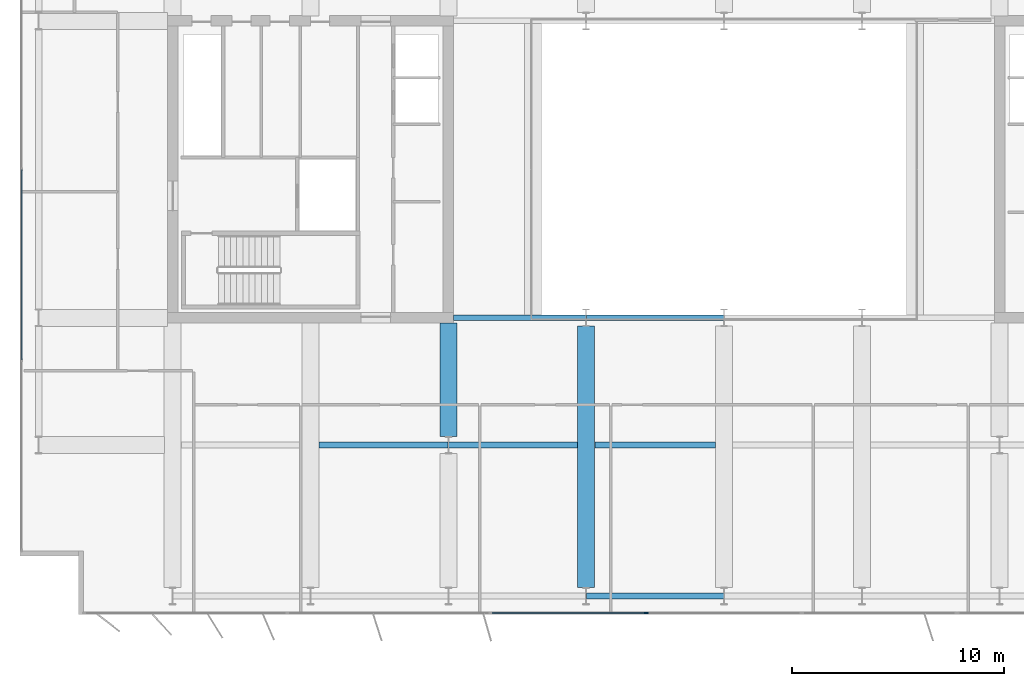
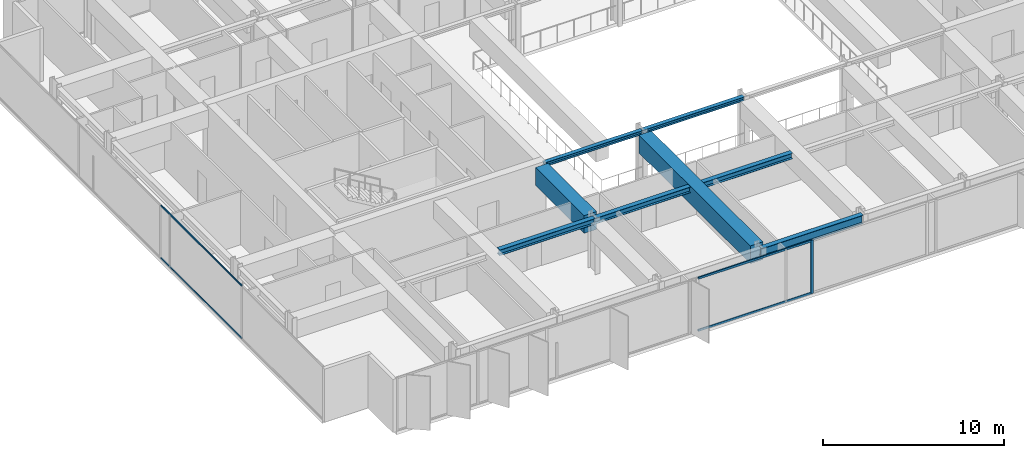
# One storey, part 4 of 24: 8 beams, 5 members, 2 elements without a shape of their own.
"""IFC4 building model written with IfcOpenShell, lengths in metres."""

from ifc_helpers import new_model, si_unit, direction, frame, origin, origin_2d, place, context, subcontext, project, spatial, rectangle, i_section, extrude, material, layer, layer_set, material_profile, profile_set, type_object, element, aggregate, save


model = new_model("IFC4")

# Units and contexts
model_context = context("Model", 3, precision=1e-05, world=origin(), true_north=direction((0.0, 1.0)))
body_context = subcontext(model_context, "Body", "Model", "MODEL_VIEW")
ifc_project = project(units=[si_unit("LENGTHUNIT", "METRE"), si_unit("AREAUNIT", "SQUARE_METRE"), si_unit("VOLUMEUNIT", "CUBIC_METRE"), si_unit("PLANEANGLEUNIT", "RADIAN"), si_unit("MASSUNIT", "GRAM", prefix="KILO")], contexts=[model_context])

# Site, building, storey
site_placement = place(None, origin())
site = spatial("IfcSite", under=ifc_project, at=site_placement, CompositionType="ELEMENT")
building_placement = place(site_placement, origin())
building = spatial("IfcBuilding", under=site, at=building_placement, Name="Putna Gate Headquarters", CompositionType="ELEMENT")
storey_placement = place(building_placement, frame((0.0, 0.0, 251.800048828125)))
storey = spatial("IfcBuildingStorey", under=building, at=storey_placement, Name="L63", CompositionType="ELEMENT", Elevation=251.800048828125)

# Beams
ifc_material_1 = material(Name="Steel S355J2", Category="steel")
ifc_material_profile_1 = material_profile(ifc_material_1, i_section(OverallWidth=0.260009765625, OverallDepth=0.260009765625, WebThickness=0.010009765625, FlangeThickness=0.017578125, at=origin_2d()), Name="Steel S355J2")
ifc_profile_set_1 = profile_set([ifc_material_profile_1], Name="Steel S355J2")
beam_type_1 = type_object("IfcBeamType", Name="BM-ATRIUM-HEB260", PredefinedType="BEAM", material=ifc_profile_set_1)
beam_1_placement = place(storey_placement, frame((26.235107421875, 19.0, 3.4580078125), z_axis=(1.0, 0.0, 0.0), x_axis=(0.0, 1.0, 0.0)))
element("IfcBeam", 1, at=beam_1_placement, inside=storey, type_object=beam_type_1, Name="L63 Atrium Edge Beam AS1", PredefinedType="BEAM", context=body_context, shape_type="SweptSolid", body=[
    extrude(i_section(OverallWidth=0.260009765625, OverallDepth=0.260009765625, WebThickness=0.010009765625, FlangeThickness=0.017578125, at=origin_2d()), origin(), (0.0, 0.0, 1.0), 6.2587890625),
])
beam_2_placement = place(storey_placement, frame((32.506103515625, 19.0, 3.4580078125), z_axis=(1.0, 0.0, 0.0), x_axis=(0.0, 1.0, 0.0)))
element("IfcBeam", 2, at=beam_2_placement, inside=storey, type_object=beam_type_1, Name="L63 Atrium Edge Beam AS2", PredefinedType="BEAM", context=body_context, shape_type="SweptSolid", body=[
    extrude(i_section(OverallWidth=0.260009765625, OverallDepth=0.260009765625, WebThickness=0.010009765625, FlangeThickness=0.017578125, at=origin_2d()), origin(), (0.0, 0.0, 1.0), 6.48779296875),
])
ifc_material_profile_2 = material_profile(ifc_material_1, i_section(OverallWidth=0.300048828125, OverallDepth=0.389892578125, WebThickness=0.010986328125, FlangeThickness=0.01904296875, at=origin_2d()), Name="Steel S355J2")
ifc_profile_set_2 = profile_set([ifc_material_profile_2], Name="Steel S355J2")
beam_type_2 = type_object("IfcBeamType", Name="BM-SEC-Z5-HEA400", PredefinedType="BEAM", material=ifc_profile_set_2)
for number, where, z_axis, x_axis, name in (
    (3, (19.904052734375, 13.0, 3.39306640625), (1.0, 0.0, 0.0), (0.0, 1.0, 0.0), "L63 South Secondary Beam 2"),
    (4, (26.006103515625, 13.0, 3.39306640625), (1.0, 0.0, 0.0), (0.0, 1.0, 0.0), "L63 South Secondary Beam 3"),
):
    element("IfcBeam", number, at=place(storey_placement, frame(where, z_axis=z_axis, x_axis=x_axis)), inside=storey, type_object=beam_type_2, Name=name, PredefinedType="BEAM", context=body_context, shape_type="SweptSolid", body=[
        extrude(i_section(OverallWidth=0.300048828125, OverallDepth=0.389892578125, WebThickness=0.010986328125, FlangeThickness=0.01904296875, at=origin_2d()), origin(), (0.0, 0.0, 1.0), 6.08984375),
    ])
beam_3_placement = place(storey_placement, frame((32.904052734375, 13.0, 3.39306640625), z_axis=(1.0, 0.0, 0.0), x_axis=(0.0, 1.0, 0.0)))
element("IfcBeam", 5, at=beam_3_placement, inside=storey, type_object=beam_type_2, Name="L63 South Secondary Beam 4", PredefinedType="BEAM", context=body_context, shape_type="SweptSolid", body=[
    extrude(i_section(OverallWidth=0.300048828125, OverallDepth=0.389892578125, WebThickness=0.010986328125, FlangeThickness=0.01904296875, at=origin_2d()), origin(), (0.0, 0.0, 1.0), 5.69189453125),
])
ifc_material_profile_3 = material_profile(ifc_material_1, i_section(OverallWidth=0.300048828125, OverallDepth=0.590087890625, WebThickness=0.012939453125, FlangeThickness=0.02490234375, at=origin_2d()), Name="Steel S355J2")
ifc_profile_set_3 = profile_set([ifc_material_profile_3], Name="Steel S355J2")
beam_type_3 = type_object("IfcBeamType", Name="BM-SPAN-Z4-HEA600", PredefinedType="SPANDREL", material=ifc_profile_set_3)
beam_4_placement = place(storey_placement, frame((32.506103515625, 5.8798828125, 3.29296875), z_axis=(1.0, 0.0, 0.0), x_axis=(0.0, 1.0, 0.0)))
element("IfcBeam", 6, at=beam_4_placement, inside=storey, type_object=beam_type_3, Name="L63 S Perimeter Spandrel 4", PredefinedType="SPANDREL", context=body_context, shape_type="SweptSolid", body=[
    extrude(i_section(OverallWidth=0.300048828125, OverallDepth=0.590087890625, WebThickness=0.012939453125, FlangeThickness=0.02490234375, at=origin_2d()), origin(), (0.0, 0.0, 1.0), 6.48779296875),
])
ifc_material_2 = material(Name="Concrete C50/60", Category="concrete")
ifc_material_profile_4 = material_profile(ifc_material_2, rectangle(XDim=0.800048828125, YDim=1.199951171875, at=origin_2d()), Name="Concrete C50/60")
ifc_profile_set_4 = profile_set([ifc_material_profile_4], Name="Concrete C50/60")
beam_type_4 = type_object("IfcBeamType", Name="BM-TG-RC1200", PredefinedType="USERDEFINED", material=ifc_profile_set_4)
beam_5_placement = place(storey_placement, frame((26.0, 13.39501953125, 2.988037109375), z_axis=(0.0, 1.0, 0.0), x_axis=(-1.0, 0.0, 0.0)))
element("IfcBeam", 7, at=beam_5_placement, inside=storey, type_object=beam_type_4, Name="L63 South Primary Girder X26-2", ObjectType="GIRDER", PredefinedType="USERDEFINED", context=body_context, shape_type="SweptSolid", body=[
    extrude(rectangle(XDim=0.800048828125, YDim=1.199951171875, at=origin_2d()), origin(), (0.0, 0.0, 1.0), 5.369873046875),
])
beam_6_placement = place(storey_placement, frame((32.5, 6.27490234375, 2.988037109375), z_axis=(0.0, 1.0, 0.0), x_axis=(-1.0, 0.0, 0.0)))
element("IfcBeam", 8, at=beam_6_placement, inside=storey, type_object=beam_type_4, Name="L63 South Primary Girder X32", ObjectType="GIRDER", PredefinedType="USERDEFINED", context=body_context, shape_type="SweptSolid", body=[
    extrude(rectangle(XDim=0.800048828125, YDim=1.199951171875, at=origin_2d()), origin(), (0.0, 0.0, 1.0), 12.330078125),
])

# Curtain wall, member
ifc_material_3 = material(Name="Anodised bronze aluminium curtain wall", Category="aluminium")
ifc_layer_1 = layer(ifc_material_3, 0.179931640625)
ifc_layer_set_1 = layer_set([ifc_layer_1], Name="Anodised bronze aluminium curtain wall")
curtain_wall_type_1 = type_object("IfcCurtainWallType", Name="CW-SYS-ATR", PredefinedType="USERDEFINED", material=ifc_layer_set_1)
curtain_wall_1_placement = place(storey_placement, origin())
curtain_wall_1 = element("IfcCurtainWall", 9, at=curtain_wall_1_placement, inside=storey, type_object=curtain_wall_type_1, Name="L63 South Atrium Clear Glazing", ObjectType="ATRIUM GLAZING", PredefinedType="USERDEFINED")
ifc_material_4 = material(Name="Anodised bronze aluminium EN AW-6060", Category="aluminium")
ifc_material_profile_5 = material_profile(ifc_material_4, rectangle(XDim=0.070068359375, YDim=0.179931640625, at=origin_2d()), Name="Anodised bronze aluminium EN AW-6060")
ifc_profile_set_5 = profile_set([ifc_material_profile_5], Name="Anodised bronze aluminium EN AW-6060")
member_type_1 = type_object("IfcMemberType", Name="MULL-CWM-AT", PredefinedType="MULLION", material=ifc_profile_set_5)
member_1_placement = place(storey_placement, frame((35.333251953125, 5.080078125, 0.0), z_axis=(0.0, 0.0, 1.0), x_axis=(0.0, 1.0, 0.0)))
member_1 = element("IfcMember", 10, at=member_1_placement, type_object=member_type_1, Name="CWS-AT mullion 2", PredefinedType="MULLION", context=body_context, shape_type="SweptSolid", body=[
    extrude(rectangle(XDim=0.070068359375, YDim=0.179931640625, at=origin_2d()), origin(), (0.0, 0.0, 1.0), 3.587890625),
])

# Curtain wall, members
ifc_layer_2 = layer(ifc_material_3, 0.139892578125)
ifc_layer_set_2 = layer_set([ifc_layer_2], Name="Anodised bronze aluminium curtain wall")
curtain_wall_type_2 = type_object("IfcCurtainWallType", Name="CW-SYS-Z4", PredefinedType="USERDEFINED", material=ifc_layer_set_2)
curtain_wall_2_placement = place(storey_placement, origin())
curtain_wall_2 = element("IfcCurtainWall", 11, at=curtain_wall_2_placement, inside=storey, type_object=curtain_wall_type_2, Name="L63 West Curtain Wall", ObjectType="STICK CURTAIN WALL", PredefinedType="USERDEFINED")
ifc_material_profile_6 = material_profile(ifc_material_4, rectangle(XDim=0.06005859375, YDim=0.10009765625, at=origin_2d()), Name="Anodised bronze aluminium EN AW-6060")
ifc_profile_set_6 = profile_set([ifc_material_profile_6], Name="Anodised bronze aluminium EN AW-6060")
member_type_2 = type_object("IfcMemberType", Name="TRAN-CWT-4", PredefinedType="USERDEFINED", material=ifc_profile_set_6)
member_2_placement = place(storey_placement, frame((5.8798828125, 17.030029296875, 0.030029296875), z_axis=(0.0, 1.0, 0.0), x_axis=(-1.0, 0.0, 0.0)))
member_2 = element("IfcMember", 12, at=member_2_placement, type_object=member_type_2, Name="CWS-4 transom 2.1", ObjectType="TRANSOM", PredefinedType="USERDEFINED", context=body_context, shape_type="SweptSolid", body=[
    extrude(rectangle(XDim=0.06005859375, YDim=0.10009765625, at=origin_2d()), origin(), (0.0, 0.0, 1.0), 8.93994140625),
])
member_3_placement = place(storey_placement, frame((5.8798828125, 17.030029296875, 3.557861328125), z_axis=(0.0, 1.0, 0.0), x_axis=(-1.0, 0.0, 0.0)))
member_3 = element("IfcMember", 13, at=member_3_placement, type_object=member_type_2, Name="CWS-4 transom 2.2", ObjectType="TRANSOM", PredefinedType="USERDEFINED", context=body_context, shape_type="SweptSolid", body=[
    extrude(rectangle(XDim=0.06005859375, YDim=0.10009765625, at=origin_2d()), origin(), (0.0, 0.0, 1.0), 8.93994140625),
])
aggregate(curtain_wall_2, [member_2, member_3])

# Member
ifc_material_profile_7 = material_profile(ifc_material_4, rectangle(XDim=0.070068359375, YDim=0.139892578125, at=origin_2d()), Name="Anodised bronze aluminium EN AW-6060")
ifc_profile_set_7 = profile_set([ifc_material_profile_7], Name="Anodised bronze aluminium EN AW-6060")
member_type_3 = type_object("IfcMemberType", Name="TRAN-CWT-AT", PredefinedType="USERDEFINED", material=ifc_profile_set_7)
member_4_placement = place(storey_placement, frame((28.070068359375, 5.080078125, 0.034912109375), z_axis=(1.0, 0.0, 0.0), x_axis=(0.0, 1.0, 0.0)))
member_4 = element("IfcMember", 14, at=member_4_placement, type_object=member_type_3, Name="CWS-AT transom 1.1", ObjectType="TRANSOM", PredefinedType="USERDEFINED", context=body_context, shape_type="SweptSolid", body=[
    extrude(rectangle(XDim=0.070068359375, YDim=0.139892578125, at=origin_2d()), origin(), (0.0, 0.0, 1.0), 7.228271484375),
])

member_5_placement = place(storey_placement, frame((28.070068359375, 5.080078125, 3.552978515625), z_axis=(1.0, 0.0, 0.0), x_axis=(0.0, 1.0, 0.0)))
member_5 = element("IfcMember", 15, at=member_5_placement, type_object=member_type_3, Name="CWS-AT transom 1.2", ObjectType="TRANSOM", PredefinedType="USERDEFINED", context=body_context, shape_type="SweptSolid", body=[
    extrude(rectangle(XDim=0.070068359375, YDim=0.139892578125, at=origin_2d()), origin(), (0.0, 0.0, 1.0), 7.228271484375),
])

aggregate(curtain_wall_1, [member_1, member_4, member_5])

save(model, "model.ifc")
